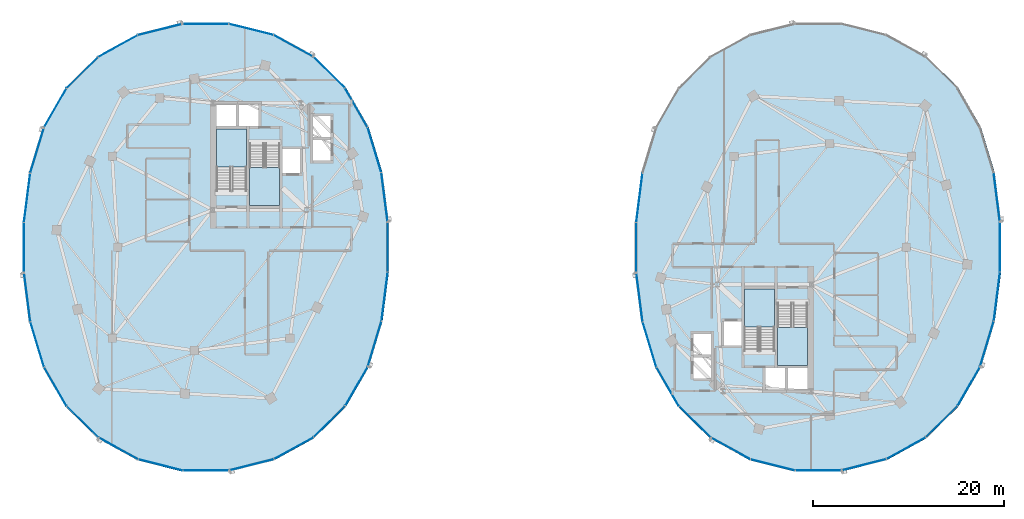
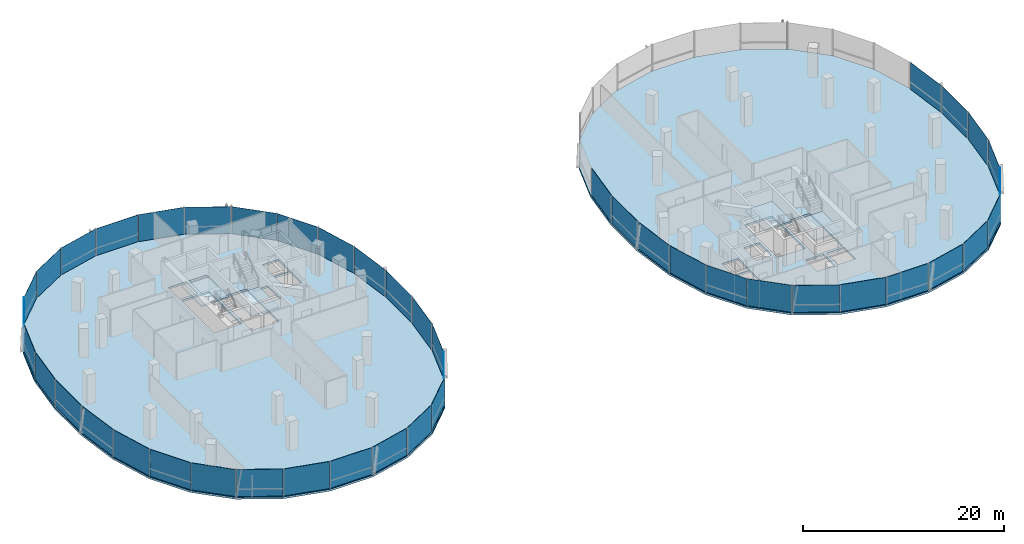
# One storey, part 10 of 21: 45 plates, 6 slabs, 12 elements without a shape of their own.
"""IFC4 building model written with IfcOpenShell, lengths in metres."""

from ifc_helpers import new_model, si_unit, direction, frame, origin, origin_2d, place, context, subcontext, project, spatial, polyline, rectangle, outline, extrude, material, layer, layer_set, type_object, element, aggregate, save


model = new_model("IFC4")

# Units and contexts
model_context = context("Model", 3, precision=1e-05, world=origin(), true_north=direction((0.0, 1.0)))
body_context = subcontext(model_context, "Body", "Model", "MODEL_VIEW")
ifc_project = project(units=[si_unit("LENGTHUNIT", "METRE"), si_unit("AREAUNIT", "SQUARE_METRE"), si_unit("VOLUMEUNIT", "CUBIC_METRE"), si_unit("PLANEANGLEUNIT", "RADIAN"), si_unit("MASSUNIT", "GRAM", prefix="KILO"), si_unit("THERMODYNAMICTEMPERATUREUNIT", "KELVIN"), si_unit("POWERUNIT", "WATT")], contexts=[model_context])

# Site, building, storey
site_placement = place(None, origin())
site = spatial("IfcSite", under=ifc_project, at=site_placement, CompositionType="ELEMENT")
building_placement = place(site_placement, origin())
building = spatial("IfcBuilding", under=site, at=building_placement, Name="Cundina Bronze Exchange", CompositionType="ELEMENT")
storey_placement = place(building_placement, frame((0.0, 0.0, 183.60009765625)))
storey = spatial("IfcBuildingStorey", under=building, at=storey_placement, Name="L48", CompositionType="ELEMENT", Elevation=183.60009765625)

# Curtain wall, plates
ifc_material_1 = material(Name="Anodised Bronze Aluminium 6063-T6", Category="aluminium")
curtain_wall_type = type_object("IfcCurtainWallType", Name="CWS-WST-PIN", PredefinedType="NOTDEFINED", material=ifc_material_1)
curtain_wall_1_placement = place(storey_placement, origin())
curtain_wall_1 = element("IfcCurtainWall", 1, at=curtain_wall_1_placement, inside=storey, type_object=curtain_wall_type, Name="L48 CW-04 Curtain Wall Run CWR-L48-W1", PredefinedType="NOTDEFINED")
ifc_material_2 = material(Name="Heat-Strengthened Solar-Control Bronze Safety Glass 28mm", Category="glass")
ifc_layer_1 = layer(ifc_material_2, 0.028076171875, Name="Heat-Strengthened Solar-Control Bronze Safety Glass 28mm", Category="glass")
ifc_layer_set_1 = layer_set([ifc_layer_1], Name="Heat-Strengthened Solar-Control Bronze Safety Glass 28mm")
plate_type_1 = type_object("IfcPlateType", Name="PLT-GLZ-VIS28", PredefinedType="CURTAIN_PANEL", material=ifc_layer_set_1)
plate_1_placement = place(storey_placement, frame((-13.320556640625, 5.2041015625, 0.02001953125), z_axis=(0.0, 0.0, 1.0), x_axis=(-0.126475984253, 0.9919696696, 0.0)))
plate_1 = element("IfcPlate", 2, at=plate_1_placement, type_object=plate_type_1, Name="CW-04 Glazed Panel 1", PredefinedType="CURTAIN_PANEL", context=body_context, shape_type="SweptSolid", body=[
    extrude(rectangle(XDim=5.104736328125, YDim=0.028076171875, at=origin_2d()), origin(), (0.0, 0.0, 1.0), 3.280029296875),
])
plate_2_placement = place(storey_placement, frame((-16.265625, 14.564697265625, 0.02001953125), z_axis=(0.0, 0.0, 1.0), x_axis=(-0.498487739754, 0.866896748936, 0.0)))
plate_2 = element("IfcPlate", 3, at=plate_2_placement, type_object=plate_type_1, Name="CW-04 Glazed Panel 3", PredefinedType="CURTAIN_PANEL", context=body_context, shape_type="SweptSolid", body=[
    extrude(rectangle(XDim=4.676513671875, YDim=0.028076171875, at=origin_2d()), origin(), (0.0, 0.0, 1.0), 3.280029296875),
])
plate_3_placement = place(storey_placement, frame((-19.105224609375, 18.253662109375, 0.02001953125), z_axis=(0.0, 0.0, 1.0), x_axis=(-0.711989280367, 0.702190333629, 0.0)))
plate_3 = element("IfcPlate", 4, at=plate_3_placement, type_object=plate_type_1, Name="CW-04 Glazed Panel 4", PredefinedType="CURTAIN_PANEL", context=body_context, shape_type="SweptSolid", body=[
    extrude(rectangle(XDim=4.6025390625, YDim=0.028076171875, at=origin_2d()), origin(), (0.0, 0.0, 1.0), 3.280029296875),
])
plate_4_placement = place(storey_placement, frame((-22.83154296875, 21.02880859375, 0.02001953125), z_axis=(0.0, 0.0, 1.0), x_axis=(-0.875869093438, 0.482548786301, 0.0)))
plate_4 = element("IfcPlate", 5, at=plate_4_placement, type_object=plate_type_1, Name="CW-04 Glazed Panel 5", PredefinedType="CURTAIN_PANEL", context=body_context, shape_type="SweptSolid", body=[
    extrude(rectangle(XDim=4.661865234375, YDim=0.028076171875, at=origin_2d()), origin(), (0.0, 0.0, 1.0), 3.280029296875),
])
plate_5_placement = place(storey_placement, frame((-27.23486328125, 22.75244140625, 0.02001953125), z_axis=(0.0, 0.0, 1.0), x_axis=(-0.970092713791, 0.242734683656, 0.0)))
plate_5 = element("IfcPlate", 6, at=plate_5_placement, type_object=plate_type_1, Name="CW-04 Glazed Panel 6", PredefinedType="CURTAIN_PANEL", context=body_context, shape_type="SweptSolid", body=[
    extrude(rectangle(XDim=4.7548828125, YDim=0.028076171875, at=origin_2d()), origin(), (0.0, 0.0, 1.0), 3.280029296875),
])

curtain_wall_2_placement = place(storey_placement, origin())
curtain_wall_2 = element("IfcCurtainWall", 7, at=curtain_wall_2_placement, inside=storey, type_object=curtain_wall_type, Name="L48 CW-04 Curtain Wall Run CWR-L48-W2", PredefinedType="NOTDEFINED")
plate_6_placement = place(storey_placement, frame((-41.16845703125, 21.02880859375, 0.02001953125), z_axis=(0.0, 0.0, 1.0), x_axis=(-0.875869093438, -0.482548786301, 0.0)))
plate_6 = element("IfcPlate", 8, at=plate_6_placement, type_object=plate_type_1, Name="CW-04 Glazed Panel 2", PredefinedType="CURTAIN_PANEL", context=body_context, shape_type="SweptSolid", body=[
    extrude(rectangle(XDim=4.661865234375, YDim=0.028076171875, at=origin_2d()), origin(), (0.0, 0.0, 1.0), 3.280029296875),
])
plate_7_placement = place(storey_placement, frame((-44.894775390625, 18.253662109375, 0.02001953125), z_axis=(0.0, 0.0, 1.0), x_axis=(-0.711989280367, -0.702190333629, 0.0)))
plate_7 = element("IfcPlate", 9, at=plate_7_placement, type_object=plate_type_1, Name="CW-04 Glazed Panel 3", PredefinedType="CURTAIN_PANEL", context=body_context, shape_type="SweptSolid", body=[
    extrude(rectangle(XDim=4.6025390625, YDim=0.028076171875, at=origin_2d()), origin(), (0.0, 0.0, 1.0), 3.280029296875),
])
plate_8_placement = place(storey_placement, frame((-47.734375, 14.564697265625, 0.02001953125), z_axis=(0.0, 0.0, 1.0), x_axis=(-0.498487739754, -0.866896748936, 0.0)))
plate_8 = element("IfcPlate", 10, at=plate_8_placement, type_object=plate_type_1, Name="CW-04 Glazed Panel 4", PredefinedType="CURTAIN_PANEL", context=body_context, shape_type="SweptSolid", body=[
    extrude(rectangle(XDim=4.676513671875, YDim=0.028076171875, at=origin_2d()), origin(), (0.0, 0.0, 1.0), 3.280029296875),
])
plate_9_placement = place(storey_placement, frame((-49.63330078125, 10.14208984375, 0.02001953125), z_axis=(0.0, 0.0, 1.0), x_axis=(-0.290050843957, -0.957011237092, 0.0)))
plate_9 = element("IfcPlate", 11, at=plate_9_placement, type_object=plate_type_1, Name="CW-04 Glazed Panel 5", PredefinedType="CURTAIN_PANEL", context=body_context, shape_type="SweptSolid", body=[
    extrude(rectangle(XDim=4.885009765625, YDim=0.028076171875, at=origin_2d()), origin(), (0.0, 0.0, 1.0), 3.280029296875),
])
plate_10_placement = place(storey_placement, frame((-51.007080078125, 0.0, 0.02001953125), z_axis=(0.0, 0.0, 1.0), x_axis=(0.0, -1.0, 0.0)))
plate_10 = element("IfcPlate", 12, at=plate_10_placement, type_object=plate_type_1, Name="CW-04 Glazed Panel 7", PredefinedType="CURTAIN_PANEL", context=body_context, shape_type="SweptSolid", body=[
    extrude(rectangle(XDim=5.194091796875, YDim=0.028076171875, at=origin_2d()), origin(), (0.0, 0.0, 1.0), 3.280029296875),
])

curtain_wall_3_placement = place(storey_placement, origin())
curtain_wall_3 = element("IfcCurtainWall", 13, at=curtain_wall_3_placement, inside=storey, type_object=curtain_wall_type, Name="L48 CW-04 Curtain Wall Run CWR-L48-W3", PredefinedType="NOTDEFINED")
plate_11_placement = place(storey_placement, frame((-50.679443359375, -5.2041015625, 0.02001953125), z_axis=(0.0, 0.0, 1.0), x_axis=(0.126475984253, -0.9919696696, 0.0)))
plate_11 = element("IfcPlate", 14, at=plate_11_placement, type_object=plate_type_1, Name="CW-04 Glazed Panel 1", PredefinedType="CURTAIN_PANEL", context=body_context, shape_type="SweptSolid", body=[
    extrude(rectangle(XDim=5.104736328125, YDim=0.028076171875, at=origin_2d()), origin(), (0.0, 0.0, 1.0), 3.280029296875),
])
plate_12_placement = place(storey_placement, frame((-49.63330078125, -10.14208984375, 0.02001953125), z_axis=(0.0, 0.0, 1.0), x_axis=(0.290050843957, -0.957011237092, 0.0)))
plate_12 = element("IfcPlate", 15, at=plate_12_placement, type_object=plate_type_1, Name="CW-04 Glazed Panel 2", PredefinedType="CURTAIN_PANEL", context=body_context, shape_type="SweptSolid", body=[
    extrude(rectangle(XDim=4.885009765625, YDim=0.028076171875, at=origin_2d()), origin(), (0.0, 0.0, 1.0), 3.280029296875),
])
plate_13_placement = place(storey_placement, frame((-47.734375, -14.564697265625, 0.02001953125), z_axis=(0.0, 0.0, 1.0), x_axis=(0.498487739754, -0.866896748936, 0.0)))
plate_13 = element("IfcPlate", 16, at=plate_13_placement, type_object=plate_type_1, Name="CW-04 Glazed Panel 3", PredefinedType="CURTAIN_PANEL", context=body_context, shape_type="SweptSolid", body=[
    extrude(rectangle(XDim=4.676513671875, YDim=0.028076171875, at=origin_2d()), origin(), (0.0, 0.0, 1.0), 3.280029296875),
])
plate_14_placement = place(storey_placement, frame((-44.894775390625, -18.253662109375, 0.02001953125), z_axis=(0.0, 0.0, 1.0), x_axis=(0.711989280367, -0.702190333629, 0.0)))
plate_14 = element("IfcPlate", 17, at=plate_14_placement, type_object=plate_type_1, Name="CW-04 Glazed Panel 4", PredefinedType="CURTAIN_PANEL", context=body_context, shape_type="SweptSolid", body=[
    extrude(rectangle(XDim=4.6025390625, YDim=0.028076171875, at=origin_2d()), origin(), (0.0, 0.0, 1.0), 3.280029296875),
])
plate_15_placement = place(storey_placement, frame((-36.76513671875, -22.75244140625, 0.02001953125), z_axis=(0.0, 0.0, 1.0), x_axis=(0.970092713791, -0.242734683656, 0.0)))
plate_15 = element("IfcPlate", 18, at=plate_15_placement, type_object=plate_type_1, Name="CW-04 Glazed Panel 6", PredefinedType="CURTAIN_PANEL", context=body_context, shape_type="SweptSolid", body=[
    extrude(rectangle(XDim=4.7548828125, YDim=0.028076171875, at=origin_2d()), origin(), (0.0, 0.0, 1.0), 3.280029296875),
])
plate_16_placement = place(storey_placement, frame((-32.0, -23.3369140625, 0.02001953125), z_axis=(0.0, 0.0, 1.0), x_axis=(1.0, 0.0, 0.0)))
plate_16 = element("IfcPlate", 19, at=plate_16_placement, type_object=plate_type_1, Name="CW-04 Glazed Panel 7", PredefinedType="CURTAIN_PANEL", context=body_context, shape_type="SweptSolid", body=[
    extrude(rectangle(XDim=4.7958984375, YDim=0.028076171875, at=origin_2d()), origin(), (0.0, 0.0, 1.0), 3.280029296875),
])

curtain_wall_4_placement = place(storey_placement, origin())
curtain_wall_4 = element("IfcCurtainWall", 20, at=curtain_wall_4_placement, inside=storey, type_object=curtain_wall_type, Name="L48 CW-04 Curtain Wall Run CWR-L48-W4", PredefinedType="NOTDEFINED")
plate_17_placement = place(storey_placement, frame((-27.23486328125, -22.75244140625, 0.02001953125), z_axis=(0.0, 0.0, 1.0), x_axis=(0.970092713791, 0.242734683656, 0.0)))
plate_17 = element("IfcPlate", 21, at=plate_17_placement, type_object=plate_type_1, Name="CW-04 Glazed Panel 1", PredefinedType="CURTAIN_PANEL", context=body_context, shape_type="SweptSolid", body=[
    extrude(rectangle(XDim=4.7548828125, YDim=0.028076171875, at=origin_2d()), origin(), (0.0, 0.0, 1.0), 3.280029296875),
])
plate_18_placement = place(storey_placement, frame((-22.83154296875, -21.02880859375, 0.02001953125), z_axis=(0.0, 0.0, 1.0), x_axis=(0.875869093438, 0.482548786301, 0.0)))
plate_18 = element("IfcPlate", 22, at=plate_18_placement, type_object=plate_type_1, Name="CW-04 Glazed Panel 2", PredefinedType="CURTAIN_PANEL", context=body_context, shape_type="SweptSolid", body=[
    extrude(rectangle(XDim=4.661865234375, YDim=0.028076171875, at=origin_2d()), origin(), (0.0, 0.0, 1.0), 3.280029296875),
])
plate_19_placement = place(storey_placement, frame((-19.105224609375, -18.253662109375, 0.02001953125), z_axis=(0.0, 0.0, 1.0), x_axis=(0.711989280367, 0.702190333629, 0.0)))
plate_19 = element("IfcPlate", 23, at=plate_19_placement, type_object=plate_type_1, Name="CW-04 Glazed Panel 3", PredefinedType="CURTAIN_PANEL", context=body_context, shape_type="SweptSolid", body=[
    extrude(rectangle(XDim=4.6025390625, YDim=0.028076171875, at=origin_2d()), origin(), (0.0, 0.0, 1.0), 3.280029296875),
])
plate_20_placement = place(storey_placement, frame((-14.36669921875, -10.14208984375, 0.02001953125), z_axis=(0.0, 0.0, 1.0), x_axis=(0.290050843957, 0.957011237092, 0.0)))
plate_20 = element("IfcPlate", 24, at=plate_20_placement, type_object=plate_type_1, Name="CW-04 Glazed Panel 5", PredefinedType="CURTAIN_PANEL", context=body_context, shape_type="SweptSolid", body=[
    extrude(rectangle(XDim=4.885009765625, YDim=0.028076171875, at=origin_2d()), origin(), (0.0, 0.0, 1.0), 3.280029296875),
])
plate_21_placement = place(storey_placement, frame((-13.320556640625, -5.2041015625, 0.02001953125), z_axis=(0.0, 0.0, 1.0), x_axis=(0.126475984253, 0.9919696696, 0.0)))
plate_21 = element("IfcPlate", 25, at=plate_21_placement, type_object=plate_type_1, Name="CW-04 Glazed Panel 6", PredefinedType="CURTAIN_PANEL", context=body_context, shape_type="SweptSolid", body=[
    extrude(rectangle(XDim=5.104736328125, YDim=0.028076171875, at=origin_2d()), origin(), (0.0, 0.0, 1.0), 3.280029296875),
])
plate_22_placement = place(storey_placement, frame((-12.992919921875, 0.0, 0.02001953125), z_axis=(0.0, 0.0, 1.0), x_axis=(0.0, 1.0, 0.0)))
plate_22 = element("IfcPlate", 26, at=plate_22_placement, type_object=plate_type_1, Name="CW-04 Glazed Panel 7", PredefinedType="CURTAIN_PANEL", context=body_context, shape_type="SweptSolid", body=[
    extrude(rectangle(XDim=5.194091796875, YDim=0.028076171875, at=origin_2d()), origin(), (0.0, 0.0, 1.0), 3.280029296875),
])

# Curtain wall, plate
curtain_wall_5_placement = place(storey_placement, origin())
curtain_wall_5 = element("IfcCurtainWall", 27, at=curtain_wall_5_placement, inside=storey, type_object=curtain_wall_type, Name="L48 CW-04 Curtain Wall Run CWR-L48-E1", PredefinedType="NOTDEFINED")
plate_23_placement = place(storey_placement, frame((50.679443359375, 5.2041015625, 0.02001953125), z_axis=(0.0, 0.0, 1.0), x_axis=(-0.126475984253, 0.9919696696, 0.0)))
plate_23 = element("IfcPlate", 28, at=plate_23_placement, type_object=plate_type_1, Name="CW-04 Glazed Panel 1", PredefinedType="CURTAIN_PANEL", context=body_context, shape_type="SweptSolid", body=[
    extrude(rectangle(XDim=5.104736328125, YDim=0.028076171875, at=origin_2d()), origin(), (0.0, 0.0, 1.0), 3.280029296875),
])
aggregate(curtain_wall_5, [plate_23])

curtain_wall_6_placement = place(storey_placement, origin())
curtain_wall_6 = element("IfcCurtainWall", 29, at=curtain_wall_6_placement, inside=storey, type_object=curtain_wall_type, Name="L48 CW-04 Curtain Wall Run CWR-L48-E2", PredefinedType="NOTDEFINED")
plate_24_placement = place(storey_placement, frame((12.992919921875, 0.0, 0.02001953125), z_axis=(0.0, 0.0, 1.0), x_axis=(0.0, -1.0, 0.0)))
plate_24 = element("IfcPlate", 30, at=plate_24_placement, type_object=plate_type_1, Name="CW-04 Glazed Panel 7", PredefinedType="CURTAIN_PANEL", context=body_context, shape_type="SweptSolid", body=[
    extrude(rectangle(XDim=5.194091796875, YDim=0.028076171875, at=origin_2d()), origin(), (0.0, 0.0, 1.0), 3.280029296875),
])

# Curtain wall, plates
curtain_wall_7_placement = place(storey_placement, origin())
curtain_wall_7 = element("IfcCurtainWall", 31, at=curtain_wall_7_placement, inside=storey, type_object=curtain_wall_type, Name="L48 CW-04 Curtain Wall Run CWR-L48-E3", PredefinedType="NOTDEFINED")
plate_25_placement = place(storey_placement, frame((13.320556640625, -5.2041015625, 0.02001953125), z_axis=(0.0, 0.0, 1.0), x_axis=(0.126475984253, -0.9919696696, 0.0)))
plate_25 = element("IfcPlate", 32, at=plate_25_placement, type_object=plate_type_1, Name="CW-04 Glazed Panel 1", PredefinedType="CURTAIN_PANEL", context=body_context, shape_type="SweptSolid", body=[
    extrude(rectangle(XDim=5.104736328125, YDim=0.028076171875, at=origin_2d()), origin(), (0.0, 0.0, 1.0), 3.280029296875),
])
plate_26_placement = place(storey_placement, frame((14.36669921875, -10.14208984375, 0.02001953125), z_axis=(0.0, 0.0, 1.0), x_axis=(0.290050843957, -0.957011237092, 0.0)))
plate_26 = element("IfcPlate", 33, at=plate_26_placement, type_object=plate_type_1, Name="CW-04 Glazed Panel 2", PredefinedType="CURTAIN_PANEL", context=body_context, shape_type="SweptSolid", body=[
    extrude(rectangle(XDim=4.885009765625, YDim=0.028076171875, at=origin_2d()), origin(), (0.0, 0.0, 1.0), 3.280029296875),
])
plate_27_placement = place(storey_placement, frame((16.265625, -14.564697265625, 0.02001953125), z_axis=(0.0, 0.0, 1.0), x_axis=(0.498487739754, -0.866896748936, 0.0)))
plate_27 = element("IfcPlate", 34, at=plate_27_placement, type_object=plate_type_1, Name="CW-04 Glazed Panel 3", PredefinedType="CURTAIN_PANEL", context=body_context, shape_type="SweptSolid", body=[
    extrude(rectangle(XDim=4.676513671875, YDim=0.028076171875, at=origin_2d()), origin(), (0.0, 0.0, 1.0), 3.280029296875),
])
plate_28_placement = place(storey_placement, frame((19.105224609375, -18.253662109375, 0.02001953125), z_axis=(0.0, 0.0, 1.0), x_axis=(0.711989280367, -0.702190333629, 0.0)))
plate_28 = element("IfcPlate", 35, at=plate_28_placement, type_object=plate_type_1, Name="CW-04 Glazed Panel 4", PredefinedType="CURTAIN_PANEL", context=body_context, shape_type="SweptSolid", body=[
    extrude(rectangle(XDim=4.6025390625, YDim=0.028076171875, at=origin_2d()), origin(), (0.0, 0.0, 1.0), 3.280029296875),
])
plate_29_placement = place(storey_placement, frame((27.23486328125, -22.75244140625, 0.02001953125), z_axis=(0.0, 0.0, 1.0), x_axis=(0.970092713791, -0.242734683656, 0.0)))
plate_29 = element("IfcPlate", 36, at=plate_29_placement, type_object=plate_type_1, Name="CW-04 Glazed Panel 6", PredefinedType="CURTAIN_PANEL", context=body_context, shape_type="SweptSolid", body=[
    extrude(rectangle(XDim=4.7548828125, YDim=0.028076171875, at=origin_2d()), origin(), (0.0, 0.0, 1.0), 3.280029296875),
])
plate_30_placement = place(storey_placement, frame((32.0, -23.3369140625, 0.02001953125), z_axis=(0.0, 0.0, 1.0), x_axis=(1.0, 0.0, 0.0)))
plate_30 = element("IfcPlate", 37, at=plate_30_placement, type_object=plate_type_1, Name="CW-04 Glazed Panel 7", PredefinedType="CURTAIN_PANEL", context=body_context, shape_type="SweptSolid", body=[
    extrude(rectangle(XDim=4.7958984375, YDim=0.028076171875, at=origin_2d()), origin(), (0.0, 0.0, 1.0), 3.280029296875),
])

curtain_wall_8_placement = place(storey_placement, origin())
curtain_wall_8 = element("IfcCurtainWall", 38, at=curtain_wall_8_placement, inside=storey, type_object=curtain_wall_type, Name="L48 CW-04 Curtain Wall Run CWR-L48-E4", PredefinedType="NOTDEFINED")
plate_31_placement = place(storey_placement, frame((36.76513671875, -22.75244140625, 0.02001953125), z_axis=(0.0, 0.0, 1.0), x_axis=(0.970092713791, 0.242734683656, 0.0)))
plate_31 = element("IfcPlate", 39, at=plate_31_placement, type_object=plate_type_1, Name="CW-04 Glazed Panel 1", PredefinedType="CURTAIN_PANEL", context=body_context, shape_type="SweptSolid", body=[
    extrude(rectangle(XDim=4.7548828125, YDim=0.028076171875, at=origin_2d()), origin(), (0.0, 0.0, 1.0), 3.280029296875),
])
plate_32_placement = place(storey_placement, frame((41.16845703125, -21.02880859375, 0.02001953125), z_axis=(0.0, 0.0, 1.0), x_axis=(0.875869093438, 0.482548786301, 0.0)))
plate_32 = element("IfcPlate", 40, at=plate_32_placement, type_object=plate_type_1, Name="CW-04 Glazed Panel 2", PredefinedType="CURTAIN_PANEL", context=body_context, shape_type="SweptSolid", body=[
    extrude(rectangle(XDim=4.661865234375, YDim=0.028076171875, at=origin_2d()), origin(), (0.0, 0.0, 1.0), 3.280029296875),
])
plate_33_placement = place(storey_placement, frame((44.894775390625, -18.253662109375, 0.02001953125), z_axis=(0.0, 0.0, 1.0), x_axis=(0.711989280367, 0.702190333629, 0.0)))
plate_33 = element("IfcPlate", 41, at=plate_33_placement, type_object=plate_type_1, Name="CW-04 Glazed Panel 3", PredefinedType="CURTAIN_PANEL", context=body_context, shape_type="SweptSolid", body=[
    extrude(rectangle(XDim=4.6025390625, YDim=0.028076171875, at=origin_2d()), origin(), (0.0, 0.0, 1.0), 3.280029296875),
])
plate_34_placement = place(storey_placement, frame((49.63330078125, -10.14208984375, 0.02001953125), z_axis=(0.0, 0.0, 1.0), x_axis=(0.290050843957, 0.957011237092, 0.0)))
plate_34 = element("IfcPlate", 42, at=plate_34_placement, type_object=plate_type_1, Name="CW-04 Glazed Panel 5", PredefinedType="CURTAIN_PANEL", context=body_context, shape_type="SweptSolid", body=[
    extrude(rectangle(XDim=4.885009765625, YDim=0.028076171875, at=origin_2d()), origin(), (0.0, 0.0, 1.0), 3.280029296875),
])
plate_35_placement = place(storey_placement, frame((50.679443359375, -5.2041015625, 0.02001953125), z_axis=(0.0, 0.0, 1.0), x_axis=(0.126475984253, 0.9919696696, 0.0)))
plate_35 = element("IfcPlate", 43, at=plate_35_placement, type_object=plate_type_1, Name="CW-04 Glazed Panel 6", PredefinedType="CURTAIN_PANEL", context=body_context, shape_type="SweptSolid", body=[
    extrude(rectangle(XDim=5.104736328125, YDim=0.028076171875, at=origin_2d()), origin(), (0.0, 0.0, 1.0), 3.280029296875),
])
plate_36_placement = place(storey_placement, frame((51.007080078125, 0.0, 0.02001953125), z_axis=(0.0, 0.0, 1.0), x_axis=(0.0, 1.0, 0.0)))
plate_36 = element("IfcPlate", 44, at=plate_36_placement, type_object=plate_type_1, Name="CW-04 Glazed Panel 7", PredefinedType="CURTAIN_PANEL", context=body_context, shape_type="SweptSolid", body=[
    extrude(rectangle(XDim=5.194091796875, YDim=0.028076171875, at=origin_2d()), origin(), (0.0, 0.0, 1.0), 3.280029296875),
])

# Plate
ifc_material_3 = material(Name="Dark Bronze Spandrel Glass Panel 32mm", Category="glass")
ifc_layer_2 = layer(ifc_material_3, 0.031982421875, Name="Dark Bronze Spandrel Glass Panel 32mm", Category="glass")
ifc_layer_set_2 = layer_set([ifc_layer_2], Name="Dark Bronze Spandrel Glass Panel 32mm")
plate_type_2 = type_object("IfcPlateType", Name="PLT-SPN-BRZ32", PredefinedType="CURTAIN_PANEL", material=ifc_layer_set_2)
plate_37_placement = place(storey_placement, frame((-14.36669921875, 10.14208984375, 0.02001953125), z_axis=(0.0, 0.0, 1.0), x_axis=(-0.290050843957, 0.957011237092, 0.0)))
plate_37 = element("IfcPlate", 45, at=plate_37_placement, type_object=plate_type_2, Name="CW-04 Glazed Panel 2", PredefinedType="CURTAIN_PANEL", context=body_context, shape_type="SweptSolid", body=[
    extrude(rectangle(XDim=4.885009765625, YDim=0.031982421875, at=origin_2d()), origin(), (0.0, 0.0, 1.0), 3.280029296875),
])

plate_38_placement = place(storey_placement, frame((-32.0, 23.3369140625, 0.02001953125), z_axis=(0.0, 0.0, 1.0), x_axis=(-1.0, 0.0, 0.0)))
plate_38 = element("IfcPlate", 46, at=plate_38_placement, type_object=plate_type_2, Name="CW-04 Glazed Panel 7", PredefinedType="CURTAIN_PANEL", context=body_context, shape_type="SweptSolid", body=[
    extrude(rectangle(XDim=4.7958984375, YDim=0.031982421875, at=origin_2d()), origin(), (0.0, 0.0, 1.0), 3.280029296875),
])

aggregate(curtain_wall_1, [plate_1, plate_37, plate_2, plate_3, plate_4, plate_5, plate_38])

plate_39_placement = place(storey_placement, frame((-36.76513671875, 22.75244140625, 0.02001953125), z_axis=(0.0, 0.0, 1.0), x_axis=(-0.970092713791, -0.242734683656, 0.0)))
plate_39 = element("IfcPlate", 47, at=plate_39_placement, type_object=plate_type_2, Name="CW-04 Glazed Panel 1", PredefinedType="CURTAIN_PANEL", context=body_context, shape_type="SweptSolid", body=[
    extrude(rectangle(XDim=4.7548828125, YDim=0.031982421875, at=origin_2d()), origin(), (0.0, 0.0, 1.0), 3.280029296875),
])

plate_40_placement = place(storey_placement, frame((-50.679443359375, 5.2041015625, 0.02001953125), z_axis=(0.0, 0.0, 1.0), x_axis=(-0.126475984253, -0.9919696696, 0.0)))
plate_40 = element("IfcPlate", 48, at=plate_40_placement, type_object=plate_type_2, Name="CW-04 Glazed Panel 6", PredefinedType="CURTAIN_PANEL", context=body_context, shape_type="SweptSolid", body=[
    extrude(rectangle(XDim=5.104736328125, YDim=0.031982421875, at=origin_2d()), origin(), (0.0, 0.0, 1.0), 3.280029296875),
])

aggregate(curtain_wall_2, [plate_39, plate_6, plate_7, plate_8, plate_9, plate_40, plate_10])

plate_41_placement = place(storey_placement, frame((-41.16845703125, -21.02880859375, 0.02001953125), z_axis=(0.0, 0.0, 1.0), x_axis=(0.875869093438, -0.482548786301, 0.0)))
plate_41 = element("IfcPlate", 49, at=plate_41_placement, type_object=plate_type_2, Name="CW-04 Glazed Panel 5", PredefinedType="CURTAIN_PANEL", context=body_context, shape_type="SweptSolid", body=[
    extrude(rectangle(XDim=4.661865234375, YDim=0.031982421875, at=origin_2d()), origin(), (0.0, 0.0, 1.0), 3.280029296875),
])

aggregate(curtain_wall_3, [plate_11, plate_12, plate_13, plate_14, plate_41, plate_15, plate_16])

plate_42_placement = place(storey_placement, frame((-16.265625, -14.564697265625, 0.02001953125), z_axis=(0.0, 0.0, 1.0), x_axis=(0.498487739754, 0.866896748936, 0.0)))
plate_42 = element("IfcPlate", 50, at=plate_42_placement, type_object=plate_type_2, Name="CW-04 Glazed Panel 4", PredefinedType="CURTAIN_PANEL", context=body_context, shape_type="SweptSolid", body=[
    extrude(rectangle(XDim=4.676513671875, YDim=0.031982421875, at=origin_2d()), origin(), (0.0, 0.0, 1.0), 3.280029296875),
])

aggregate(curtain_wall_4, [plate_17, plate_18, plate_19, plate_42, plate_20, plate_21, plate_22])

plate_43_placement = place(storey_placement, frame((13.320556640625, 5.2041015625, 0.02001953125), z_axis=(0.0, 0.0, 1.0), x_axis=(-0.126475984253, -0.9919696696, 0.0)))
plate_43 = element("IfcPlate", 51, at=plate_43_placement, type_object=plate_type_2, Name="CW-04 Glazed Panel 6", PredefinedType="CURTAIN_PANEL", context=body_context, shape_type="SweptSolid", body=[
    extrude(rectangle(XDim=5.104736328125, YDim=0.031982421875, at=origin_2d()), origin(), (0.0, 0.0, 1.0), 3.280029296875),
])

aggregate(curtain_wall_6, [plate_43, plate_24])

plate_44_placement = place(storey_placement, frame((22.83154296875, -21.02880859375, 0.02001953125), z_axis=(0.0, 0.0, 1.0), x_axis=(0.875869093438, -0.482548786301, 0.0)))
plate_44 = element("IfcPlate", 52, at=plate_44_placement, type_object=plate_type_2, Name="CW-04 Glazed Panel 5", PredefinedType="CURTAIN_PANEL", context=body_context, shape_type="SweptSolid", body=[
    extrude(rectangle(XDim=4.661865234375, YDim=0.031982421875, at=origin_2d()), origin(), (0.0, 0.0, 1.0), 3.280029296875),
])

aggregate(curtain_wall_7, [plate_25, plate_26, plate_27, plate_28, plate_44, plate_29, plate_30])

plate_45_placement = place(storey_placement, frame((47.734375, -14.564697265625, 0.02001953125), z_axis=(0.0, 0.0, 1.0), x_axis=(0.498487739754, 0.866896748936, 0.0)))
plate_45 = element("IfcPlate", 53, at=plate_45_placement, type_object=plate_type_2, Name="CW-04 Glazed Panel 4", PredefinedType="CURTAIN_PANEL", context=body_context, shape_type="SweptSolid", body=[
    extrude(rectangle(XDim=4.676513671875, YDim=0.031982421875, at=origin_2d()), origin(), (0.0, 0.0, 1.0), 3.280029296875),
])

aggregate(curtain_wall_8, [plate_31, plate_32, plate_33, plate_45, plate_34, plate_35, plate_36])

# Stair, slab
ifc_material_4 = material(Name="Concrete C40/50", Category="concrete")
stair_type = type_object("IfcStairType", Name="STR-OFF-360", PredefinedType="HALF_TURN_STAIR", material=ifc_material_4)
stair_1_placement = place(storey_placement, origin())
stair_1 = element("IfcStair", 54, at=stair_1_placement, inside=storey, type_object=stair_type, Name="L48 Smokeproof Exit Stair W1", PredefinedType="HALF_TURN_STAIR")
ifc_layer_3 = layer(ifc_material_4, 0.199951171875, Name="Concrete C40/50", Category="concrete")
ifc_layer_set_3 = layer_set([ifc_layer_3], Name="Concrete C40/50")
slab_type_1 = type_object("IfcSlabType", Name="SLB-LND-200", PredefinedType="LANDING", material=ifc_layer_set_3)
slab_1_placement = place(storey_placement, frame((0.0, 0.0, 1.599853515625)))
slab_1 = element("IfcSlab", 55, at=slab_1_placement, type_object=slab_type_1, Name="ST-W1 landing 1", PredefinedType="LANDING", context=body_context, shape_type="SweptSolid", body=[
    extrude(outline(polyline([(-27.739990234375, 8.3701171875), (-27.739990234375, 12.35009765625), (-30.89990234375, 12.35009765625), (-30.89990234375, 8.3701171875), (-27.739990234375, 8.3701171875)])), origin(), (0.0, 0.0, 1.0), 0.199951171875),
])
aggregate(stair_1, [slab_1])

stair_2_placement = place(storey_placement, origin())
stair_2 = element("IfcStair", 56, at=stair_2_placement, inside=storey, type_object=stair_type, Name="L48 Smokeproof Exit Stair W2", PredefinedType="HALF_TURN_STAIR")
slab_2_placement = place(storey_placement, frame((0.0, 0.0, 1.599853515625)))
slab_2 = element("IfcSlab", 57, at=slab_2_placement, type_object=slab_type_1, Name="ST-W2 landing 1", PredefinedType="LANDING", context=body_context, shape_type="SweptSolid", body=[
    extrude(outline(polyline([(-27.43994140625, 8.330078125), (-27.43994140625, 4.35009765625), (-24.280029296875, 4.35009765625), (-24.280029296875, 8.330078125), (-27.43994140625, 8.330078125)])), origin(), (0.0, 0.0, 1.0), 0.199951171875),
])
aggregate(stair_2, [slab_2])

stair_3_placement = place(storey_placement, origin())
stair_3 = element("IfcStair", 58, at=stair_3_placement, inside=storey, type_object=stair_type, Name="L48 Smokeproof Exit Stair E1", PredefinedType="HALF_TURN_STAIR")
slab_3_placement = place(storey_placement, frame((0.0, 0.0, 1.599853515625)))
slab_3 = element("IfcSlab", 59, at=slab_3_placement, type_object=slab_type_1, Name="ST-E1 landing 1", PredefinedType="LANDING", context=body_context, shape_type="SweptSolid", body=[
    extrude(outline(polyline([(27.739990234375, -8.3701171875), (27.739990234375, -12.35009765625), (30.89990234375, -12.35009765625), (30.89990234375, -8.3701171875), (27.739990234375, -8.3701171875)])), origin(), (0.0, 0.0, 1.0), 0.199951171875),
])
aggregate(stair_3, [slab_3])

stair_4_placement = place(storey_placement, origin())
stair_4 = element("IfcStair", 60, at=stair_4_placement, inside=storey, type_object=stair_type, Name="L48 Smokeproof Exit Stair E2", PredefinedType="HALF_TURN_STAIR")
slab_4_placement = place(storey_placement, frame((0.0, 0.0, 1.599853515625)))
slab_4 = element("IfcSlab", 61, at=slab_4_placement, type_object=slab_type_1, Name="ST-E2 landing 1", PredefinedType="LANDING", context=body_context, shape_type="SweptSolid", body=[
    extrude(outline(polyline([(27.43994140625, -8.330078125), (27.43994140625, -4.35009765625), (24.280029296875, -4.35009765625), (24.280029296875, -8.330078125), (27.43994140625, -8.330078125)])), origin(), (0.0, 0.0, 1.0), 0.199951171875),
])
aggregate(stair_4, [slab_4])

# Slabs
ifc_material_5 = material(Name="Concrete C50/60", Category="concrete")
ifc_layer_4 = layer(ifc_material_5, 0.239990234375, Name="Concrete C50/60", Category="concrete")
ifc_layer_set_4 = layer_set([ifc_layer_4], Name="Concrete C50/60")
slab_type_2 = type_object("IfcSlabType", Name="SLB-WST-240", PredefinedType="FLOOR", material=ifc_layer_set_4)
slab_5_placement = place(storey_placement, frame((0.0, 0.0, -0.239990234375)))
element("IfcSlab", 62, at=slab_5_placement, inside=storey, type_object=slab_type_2, Name="L48 Leg W Structural Floor Slab", PredefinedType="FLOOR", context=body_context, shape_type="SweptSolid", body=[
    extrude(outline(polyline([(-12.8779296875, 2.64208984375), (-13.534912109375, 7.794921875), (-14.97802734375, 12.555908203125), (-17.35400390625, 16.68798828125), (-20.695068359375, 19.98291015625), (-24.85693359375, 22.27587890625), (-29.556884765625, 23.451904296875), (-34.443115234375, 23.451904296875), (-39.14306640625, 22.27587890625), (-43.304931640625, 19.98291015625), (-46.64599609375, 16.68798828125), (-49.02197265625, 12.555908203125), (-50.465087890625, 7.794921875), (-51.1220703125, 2.64208984375), (-51.1220703125, -2.64208984375), (-50.465087890625, -7.794921875), (-49.02197265625, -12.555908203125), (-46.64599609375, -16.68798828125), (-43.304931640625, -19.98291015625), (-39.14306640625, -22.27587890625), (-34.443115234375, -23.451904296875), (-29.556884765625, -23.451904296875), (-24.85693359375, -22.27587890625), (-20.695068359375, -19.98291015625), (-17.35400390625, -16.68798828125), (-14.97802734375, -12.555908203125), (-13.534912109375, -7.794921875), (-12.8779296875, -2.64208984375), (-12.8779296875, 2.64208984375)]), holes=[polyline([(-27.739990234375, 5.85009765625), (-27.739990234375, 12.35009765625), (-30.89990234375, 12.35009765625), (-30.89990234375, 5.85009765625), (-27.739990234375, 5.85009765625)]), polyline([(-27.43994140625, 10.85009765625), (-27.43994140625, 4.35009765625), (-24.280029296875, 4.35009765625), (-24.280029296875, 10.85009765625), (-27.43994140625, 10.85009765625)]), polyline([(-23.97998046875, 10.25), (-22.179931640625, 10.25), (-22.179931640625, 7.75), (-23.97998046875, 7.75), (-23.97998046875, 10.25)]), polyline([(-30.89990234375, 14.949951171875), (-28.85009765625, 14.949951171875), (-28.85009765625, 12.64990234375), (-30.89990234375, 12.64990234375), (-30.89990234375, 14.949951171875)]), polyline([(-28.550048828125, 14.949951171875), (-26.5, 14.949951171875), (-26.5, 12.64990234375), (-28.550048828125, 12.64990234375), (-28.550048828125, 14.949951171875)]), polyline([(-20.800048828125, 13.699951171875), (-18.949951171875, 13.699951171875), (-18.949951171875, 11.449951171875), (-20.800048828125, 11.449951171875), (-20.800048828125, 13.699951171875)]), polyline([(-20.800048828125, 11.300048828125), (-18.949951171875, 11.300048828125), (-18.949951171875, 9.050048828125), (-20.800048828125, 9.050048828125), (-20.800048828125, 11.300048828125)])]), origin(), (0.0, 0.0, 1.0), 0.239990234375),
])
slab_6_placement = place(storey_placement, frame((0.0, 0.0, -0.239990234375)))
element("IfcSlab", 63, at=slab_6_placement, inside=storey, type_object=slab_type_2, Name="L48 Leg E Structural Floor Slab", PredefinedType="FLOOR", context=body_context, shape_type="SweptSolid", body=[
    extrude(outline(polyline([(51.1220703125, 2.64208984375), (50.465087890625, 7.794921875), (49.02197265625, 12.555908203125), (46.64599609375, 16.68798828125), (43.304931640625, 19.98291015625), (39.14306640625, 22.27587890625), (34.443115234375, 23.451904296875), (29.556884765625, 23.451904296875), (24.85693359375, 22.27587890625), (20.695068359375, 19.98291015625), (17.35400390625, 16.68798828125), (14.97802734375, 12.555908203125), (13.534912109375, 7.794921875), (12.8779296875, 2.64208984375), (12.8779296875, -2.64208984375), (13.534912109375, -7.794921875), (14.97802734375, -12.555908203125), (17.35400390625, -16.68798828125), (20.695068359375, -19.98291015625), (24.85693359375, -22.27587890625), (29.556884765625, -23.451904296875), (34.443115234375, -23.451904296875), (39.14306640625, -22.27587890625), (43.304931640625, -19.98291015625), (46.64599609375, -16.68798828125), (49.02197265625, -12.555908203125), (50.465087890625, -7.794921875), (51.1220703125, -2.64208984375), (51.1220703125, 2.64208984375)]), holes=[polyline([(27.739990234375, -5.85009765625), (27.739990234375, -12.35009765625), (30.89990234375, -12.35009765625), (30.89990234375, -5.85009765625), (27.739990234375, -5.85009765625)]), polyline([(27.43994140625, -10.85009765625), (27.43994140625, -4.35009765625), (24.280029296875, -4.35009765625), (24.280029296875, -10.85009765625), (27.43994140625, -10.85009765625)]), polyline([(22.179931640625, -7.75), (23.97998046875, -7.75), (23.97998046875, -10.25), (22.179931640625, -10.25), (22.179931640625, -7.75)]), polyline([(28.85009765625, -12.64990234375), (30.89990234375, -12.64990234375), (30.89990234375, -14.949951171875), (28.85009765625, -14.949951171875), (28.85009765625, -12.64990234375)]), polyline([(26.5, -12.64990234375), (28.550048828125, -12.64990234375), (28.550048828125, -14.949951171875), (26.5, -14.949951171875), (26.5, -12.64990234375)]), polyline([(18.949951171875, -11.449951171875), (20.800048828125, -11.449951171875), (20.800048828125, -13.699951171875), (18.949951171875, -13.699951171875), (18.949951171875, -11.449951171875)]), polyline([(18.949951171875, -9.050048828125), (20.800048828125, -9.050048828125), (20.800048828125, -11.300048828125), (18.949951171875, -11.300048828125), (18.949951171875, -9.050048828125)])]), origin(), (0.0, 0.0, 1.0), 0.239990234375),
])

save(model, "model.ifc")
